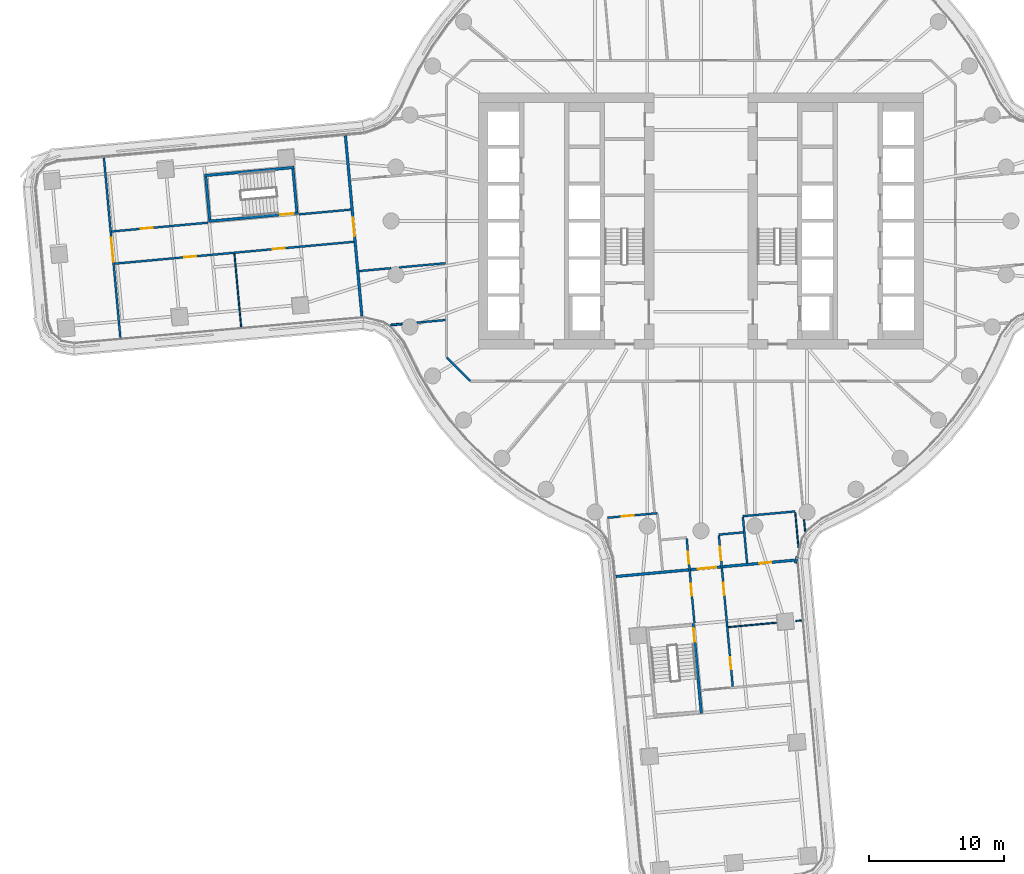
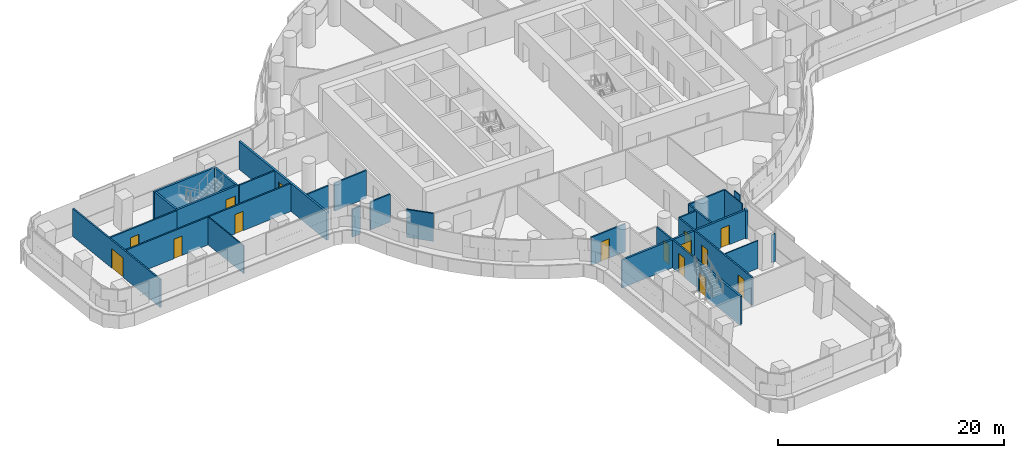
# One storey, part 19 of 31: 28 walls, 15 doors, 15 openings.
"""IFC4 building model written with IfcOpenShell, lengths in metres."""

from ifc_helpers import new_model, si_unit, direction, frame, frame_2d, origin, place, context, subcontext, project, spatial, polyline, rectangle, outline, extrude, material, layer, layer_set, type_object, element, fill, save


model = new_model("IFC4")

# Units and contexts
model_context = context("Model", 3, precision=1e-05, world=origin(), true_north=direction((0.0, 1.0)))
body_context = subcontext(model_context, "Body", "Model", "MODEL_VIEW")
ifc_project = project(units=[si_unit("LENGTHUNIT", "METRE"), si_unit("AREAUNIT", "SQUARE_METRE"), si_unit("VOLUMEUNIT", "CUBIC_METRE"), si_unit("PLANEANGLEUNIT", "RADIAN"), si_unit("MASSUNIT", "GRAM", prefix="KILO")], contexts=[model_context])

# Site, building, storey
site_placement = place(None, origin())
site = spatial("IfcSite", under=ifc_project, at=site_placement, CompositionType="ELEMENT")
building_placement = place(site_placement, origin())
building = spatial("IfcBuilding", under=site, at=building_placement, Name="Tamarind Cross Interchange Tower", CompositionType="ELEMENT")
storey_placement = place(building_placement, frame((0.0, 0.0, 52.75)))
storey = spatial("IfcBuildingStorey", under=building, at=storey_placement, Name="L11", CompositionType="ELEMENT", Elevation=52.75)

# Walls
ifc_material_1 = material(Name="Gypsum board partition on steel studs", Category="steel")
ifc_layer_1 = layer(ifc_material_1, 0.10009765625)
ifc_layer_set_1 = layer_set([ifc_layer_1], Name="Gypsum board partition on steel studs")
wall_type_1 = type_object("IfcWallType", Name="Partition 100 mm EI 90", PredefinedType="PARTITIONING", material=ifc_layer_set_1)
wall_1_placement = place(storey_placement, frame((-34.632080078125, -2.4248046875, 0.0), z_axis=(0.0, 0.0, 1.0), x_axis=(0.091148070514, -0.995837350797, 0.0)))
element("IfcWall", 1, at=wall_1_placement, inside=storey, type_object=wall_type_1, Name="Partition L11-002", PredefinedType="PARTITIONING", context=body_context, shape_type="SweptSolid", body=[
    extrude(rectangle(XDim=5.464111328125, YDim=0.10009765625, at=frame_2d((2.73193359375, 0.0))), origin(), (0.0, 0.0, 1.0), 3.010009765625),
])
wall_2_placement = place(storey_placement, frame((7.647216796875, -22.164306640625, 0.0), z_axis=(0.0, 0.0, 1.0), x_axis=(0.090963429571, -0.995854233551, 0.0)))
element("IfcWall", 2, at=wall_2_placement, inside=storey, type_object=wall_type_1, Name="Partition L11-022", PredefinedType="PARTITIONING", context=body_context, shape_type="SweptSolid", body=[
    extrude(rectangle(XDim=0.875, YDim=0.10009765625, at=frame_2d((0.4375, 0.0))), origin(), (0.0, 0.0, 1.0), 3.010009765625),
])
wall_3_placement = place(storey_placement, frame((6.994384765625, -21.62158203125, 0.0), z_axis=(0.0, 0.0, 1.0), x_axis=(0.09130674561, -0.995822814664, 0.0)))
element("IfcWall", 3, at=wall_3_placement, inside=storey, type_object=wall_type_1, Name="Partition L11-023", PredefinedType="PARTITIONING", context=body_context, shape_type="SweptSolid", body=[
    extrude(rectangle(XDim=2.655029296875, YDim=0.10009765625, at=frame_2d((1.32763671875, 0.0))), origin(), (0.0, 0.0, 1.0), 3.010009765625),
])
wall_4_placement = place(storey_placement, frame((2.015625, -30.150146484375, 0.0), z_axis=(0.0, 0.0, 1.0), x_axis=(0.995851448892, 0.090993910455, 0.0)))
element("IfcWall", 4, at=wall_4_placement, inside=storey, type_object=wall_type_1, Name="Partition L11-059", PredefinedType="PARTITIONING", context=body_context, shape_type="SweptSolid", body=[
    extrude(rectangle(XDim=3.603271484375, YDim=0.10009765625, at=frame_2d((1.8017578125, 0.0))), origin(), (0.0, 0.0, 1.0), 3.010009765625),
])
wall_5_placement = place(storey_placement, frame((7.029052734375, -29.692138671875, 0.0), z_axis=(0.0, 0.0, 1.0), x_axis=(0.995847580785, 0.091036233695, 0.0)))
element("IfcWall", 5, at=wall_5_placement, inside=storey, type_object=wall_type_1, Name="Partition L11-060", PredefinedType="PARTITIONING", context=body_context, shape_type="SweptSolid", body=[
    extrude(rectangle(XDim=0.439697265625, YDim=0.10009765625, at=frame_2d((0.2197265625, 0.0))), origin(), (0.0, 0.0, 1.0), 3.010009765625),
])

# Wall, opening, door
ifc_layer_2 = layer(ifc_material_1, 0.14990234375)
ifc_layer_set_2 = layer_set([ifc_layer_2], Name="Gypsum board partition on steel studs")
wall_type_2 = type_object("IfcWallType", Name="Partition 150 mm EI 120", PredefinedType="PARTITIONING", material=ifc_layer_set_2)
wall_6_placement = place(storey_placement, frame((-44.31884765625, 4.686279296875, 0.0), z_axis=(0.0, 0.0, 1.0), x_axis=(0.090982355228, -0.99585250466, 0.0)))
wall_6 = element("IfcWall", 6, at=wall_6_placement, inside=storey, type_object=wall_type_2, Name="Partition L11-001", PredefinedType="PARTITIONING", context=body_context, shape_type="SweptSolid", body=[
    extrude(rectangle(XDim=13.40625, YDim=0.14990234375, at=frame_2d((6.703125, 0.0))), origin(), (0.0, 0.0, 1.0), 3.010009765625),
])
opening_1_placement = place(wall_6_placement, frame((5.94921875, 0.0, 0.0)))
opening_1 = element("IfcOpeningElement", 7, at=opening_1_placement, cuts=wall_6, Name="Opening D01", PredefinedType="OPENING", context=body_context, shape_type="SweptSolid", body=[
    extrude(rectangle(XDim=1.800048828125, YDim=2.10009765625, at=frame_2d((0.89990234375, 1.050048828125))), frame((0.0, 0.0849609375, 0.0), z_axis=(0.0, -1.0, 0.0), x_axis=(1.0, 0.0, 0.0)), (0.0, 0.0, 1.0), 0.169921875),
])
ifc_material_2 = material(Name="Fire-resisting door set")
door_type_1 = type_object("IfcDoorType", Name="Interior door 1800 x 2100 FD60S", OperationType="DOUBLE_DOOR_SINGLE_SWING", PredefinedType="DOOR", material=ifc_material_2)
door_1_placement = place(opening_1_placement, frame((1.800048828125, 0.0, 0.0), z_axis=(0.0, 0.0, 1.0), x_axis=(-1.0, 0.0, 0.0)))
door_1 = element("IfcDoor", 8, at=door_1_placement, inside=storey, type_object=door_type_1, Name="Door D01", OperationType="DOUBLE_DOOR_SINGLE_SWING", OverallHeight=2.10009765625, OverallWidth=1.800048828125, PredefinedType="DOOR", context=body_context, shape_type="SweptSolid", body=[
    extrude(rectangle(XDim=1.800048828125, YDim=2.10009765625, at=frame_2d((0.89990234375, 1.050048828125))), frame((0.0, 0.02490234375, 0.0), z_axis=(0.0, -1.0, 0.0), x_axis=(1.0, 0.0, 0.0)), (0.0, 0.0, 1.0), 0.050048828125),
])
fill(opening_1, door_1)

# Wall, openings, doors
wall_7_placement = place(storey_placement, frame((-1.06201171875, -23.567626953125, 0.0), z_axis=(0.0, 0.0, 1.0), x_axis=(0.091249018008, -0.995828106007, 0.0)))
wall_7 = element("IfcWall", 9, at=wall_7_placement, inside=storey, type_object=wall_type_2, Name="Partition L11-014", PredefinedType="PARTITIONING", context=body_context, shape_type="SweptSolid", body=[
    extrude(rectangle(XDim=6.295654296875, YDim=0.14990234375, at=frame_2d((3.14794921875, 0.0))), origin(), (0.0, 0.0, 1.0), 3.010009765625),
])
opening_2_placement = place(wall_7_placement, frame((0.985107421875, 0.0, 0.0)))
opening_2 = element("IfcOpeningElement", 10, at=opening_2_placement, cuts=wall_7, Name="Opening D07", PredefinedType="OPENING", context=body_context, shape_type="SweptSolid", body=[
    extrude(rectangle(XDim=0.89990234375, YDim=2.10009765625, at=frame_2d((0.449951171875, 1.050048828125))), frame((0.0, 0.0849609375, 0.0), z_axis=(0.0, -1.0, 0.0), x_axis=(1.0, 0.0, 0.0)), (0.0, 0.0, 1.0), 0.169921875),
])
opening_3_placement = place(wall_7_placement, frame((3.385009765625, 0.0, 0.0)))
opening_3 = element("IfcOpeningElement", 11, at=opening_3_placement, cuts=wall_7, Name="Opening D08", PredefinedType="OPENING", context=body_context, shape_type="SweptSolid", body=[
    extrude(rectangle(XDim=0.89990234375, YDim=2.10009765625, at=frame_2d((0.449951171875, 1.050048828125))), frame((0.0, 0.0849609375, 0.0), z_axis=(0.0, -1.0, 0.0), x_axis=(1.0, 0.0, 0.0)), (0.0, 0.0, 1.0), 0.169921875),
])
door_type_2 = type_object("IfcDoorType", Name="Interior door 900 x 2100 FD60S", OperationType="SINGLE_SWING_LEFT", PredefinedType="DOOR", material=ifc_material_2)
door_2_placement = place(opening_2_placement, frame((0.89990234375, 0.0, 0.0), z_axis=(0.0, 0.0, 1.0), x_axis=(-1.0, 0.0, 0.0)))
door_2 = element("IfcDoor", 12, at=door_2_placement, inside=storey, type_object=door_type_2, Name="Door D07", OperationType="SINGLE_SWING_LEFT", OverallHeight=2.10009765625, OverallWidth=0.89990234375, PredefinedType="DOOR", context=body_context, shape_type="SweptSolid", body=[
    extrude(rectangle(XDim=0.89990234375, YDim=2.10009765625, at=frame_2d((0.449951171875, 1.050048828125))), frame((0.0, 0.02490234375, 0.0), z_axis=(0.0, -1.0, 0.0), x_axis=(1.0, 0.0, 0.0)), (0.0, 0.0, 1.0), 0.050048828125),
])
fill(opening_2, door_2)
door_3_placement = place(opening_3_placement, frame((0.89990234375, 0.0, 0.0), z_axis=(0.0, 0.0, 1.0), x_axis=(-1.0, 0.0, 0.0)))
door_3 = element("IfcDoor", 13, at=door_3_placement, inside=storey, type_object=door_type_2, Name="Door D08", OperationType="SINGLE_SWING_RIGHT", OverallHeight=2.10009765625, OverallWidth=0.89990234375, PredefinedType="DOOR", context=body_context, shape_type="SweptSolid", body=[
    extrude(rectangle(XDim=0.89990234375, YDim=2.10009765625, at=frame_2d((0.449951171875, 1.050048828125))), frame((0.0, 0.02490234375, 0.0), z_axis=(0.0, -1.0, 0.0), x_axis=(1.0, 0.0, 0.0)), (0.0, 0.0, 1.0), 0.050048828125),
])
fill(opening_3, door_3)

wall_8_placement = place(storey_placement, frame((1.327880859375, -23.349609375, 0.0), z_axis=(0.0, 0.0, 1.0), x_axis=(0.091258697725, -0.995827218994, 0.0)))
wall_8 = element("IfcWall", 14, at=wall_8_placement, inside=storey, type_object=wall_type_2, Name="Partition L11-017", PredefinedType="PARTITIONING", context=body_context, shape_type="SweptSolid", body=[
    extrude(rectangle(XDim=11.265625, YDim=0.14990234375, at=frame_2d((5.6328125, 0.0))), origin(), (0.0, 0.0, 1.0), 3.010009765625),
])
opening_4_placement = place(wall_8_placement, frame((0.8349609375, 0.0, 0.0)))
opening_4 = element("IfcOpeningElement", 15, at=opening_4_placement, cuts=wall_8, Name="Opening D10", PredefinedType="OPENING", context=body_context, shape_type="SweptSolid", body=[
    extrude(rectangle(XDim=1.0, YDim=2.10009765625, at=frame_2d((0.5, 1.050048828125))), frame((0.0, 0.0849609375, 0.0), z_axis=(0.0, -1.0, 0.0), x_axis=(1.0, 0.0, 0.0)), (0.0, 0.0, 1.0), 0.169921875),
])
opening_5_placement = place(wall_8_placement, frame((3.534912109375, 0.0, 0.0)))
opening_5 = element("IfcOpeningElement", 16, at=opening_5_placement, cuts=wall_8, Name="Opening D11", PredefinedType="OPENING", context=body_context, shape_type="SweptSolid", body=[
    extrude(rectangle(XDim=0.89990234375, YDim=2.10009765625, at=frame_2d((0.449951171875, 1.050048828125))), frame((0.0, 0.0849609375, 0.0), z_axis=(0.0, -1.0, 0.0), x_axis=(1.0, 0.0, 0.0)), (0.0, 0.0, 1.0), 0.169921875),
])
opening_6_placement = place(wall_8_placement, frame((9.084716796875, 0.0, 0.0)))
opening_6 = element("IfcOpeningElement", 17, at=opening_6_placement, cuts=wall_8, Name="Opening D12", PredefinedType="OPENING", context=body_context, shape_type="SweptSolid", body=[
    extrude(rectangle(XDim=0.89990234375, YDim=2.10009765625, at=frame_2d((0.449951171875, 1.050048828125))), frame((0.0, 0.0849609375, 0.0), z_axis=(0.0, -1.0, 0.0), x_axis=(1.0, 0.0, 0.0)), (0.0, 0.0, 1.0), 0.169921875),
])
door_type_3 = type_object("IfcDoorType", Name="Interior door 1000 x 2100 FD60S", OperationType="SINGLE_SWING_LEFT", PredefinedType="DOOR", material=ifc_material_2)
door_4_placement = place(opening_4_placement, origin())
door_4 = element("IfcDoor", 18, at=door_4_placement, inside=storey, type_object=door_type_3, Name="Door D10", OperationType="SINGLE_SWING_RIGHT", OverallHeight=2.10009765625, OverallWidth=1.0, PredefinedType="DOOR", context=body_context, shape_type="SweptSolid", body=[
    extrude(rectangle(XDim=1.0, YDim=2.10009765625, at=frame_2d((0.5, 1.050048828125))), frame((0.0, 0.02490234375, 0.0), z_axis=(0.0, -1.0, 0.0), x_axis=(1.0, 0.0, 0.0)), (0.0, 0.0, 1.0), 0.050048828125),
])
fill(opening_4, door_4)
door_5_placement = place(opening_5_placement, origin())
door_5 = element("IfcDoor", 19, at=door_5_placement, inside=storey, type_object=door_type_2, Name="Door D11", OperationType="SINGLE_SWING_RIGHT", OverallHeight=2.10009765625, OverallWidth=0.89990234375, PredefinedType="DOOR", context=body_context, shape_type="SweptSolid", body=[
    extrude(rectangle(XDim=0.89990234375, YDim=2.10009765625, at=frame_2d((0.449951171875, 1.050048828125))), frame((0.0, 0.02490234375, 0.0), z_axis=(0.0, -1.0, 0.0), x_axis=(1.0, 0.0, 0.0)), (0.0, 0.0, 1.0), 0.050048828125),
])
fill(opening_5, door_5)
door_6_placement = place(opening_6_placement, origin())
door_6 = element("IfcDoor", 20, at=door_6_placement, inside=storey, type_object=door_type_2, Name="Door D12", OperationType="SINGLE_SWING_LEFT", OverallHeight=2.10009765625, OverallWidth=0.89990234375, PredefinedType="DOOR", context=body_context, shape_type="SweptSolid", body=[
    extrude(rectangle(XDim=0.89990234375, YDim=2.10009765625, at=frame_2d((0.449951171875, 1.050048828125))), frame((0.0, 0.02490234375, 0.0), z_axis=(0.0, -1.0, 0.0), x_axis=(1.0, 0.0, 0.0)), (0.0, 0.0, 1.0), 0.050048828125),
])
fill(opening_6, door_6)

# Walls
wall_9_placement = place(storey_placement, frame((3.11083984375, -21.981689453125, 0.0), z_axis=(0.0, 0.0, 1.0), x_axis=(0.090842894967, -0.995865236081, 0.0)))
element("IfcWall", 21, at=wall_9_placement, inside=storey, type_object=wall_type_2, Name="Partition L11-020", PredefinedType="PARTITIONING", context=body_context, shape_type="SweptSolid", body=[
    extrude(rectangle(XDim=3.43994140625, YDim=0.14990234375, at=frame_2d((1.719970703125, 0.0))), origin(), (0.0, 0.0, 1.0), 3.010009765625),
])
wall_10_placement = place(storey_placement, frame((-18.87158203125, -10.12841796875, 0.0), z_axis=(0.0, 0.0, 1.0), x_axis=(0.707106781187, -0.707106781187, 0.0)))
element("IfcWall", 22, at=wall_10_placement, inside=storey, type_object=wall_type_2, Name="Partition L11-031", PredefinedType="PARTITIONING", context=body_context, shape_type="SweptSolid", body=[
    extrude(rectangle(XDim=2.465087890625, YDim=0.14990234375, at=frame_2d((1.232421875, 0.0))), origin(), (0.0, 0.0, 1.0), 3.010009765625),
])

# Wall, opening, door
wall_11_placement = place(storey_placement, frame((-43.749267578125, -0.78369140625, 0.0), z_axis=(0.0, 0.0, 1.0), x_axis=(0.99584491736, 0.091065364259, 0.0)))
wall_11 = element("IfcWall", 23, at=wall_11_placement, inside=storey, type_object=wall_type_2, Name="Partition L11-037", PredefinedType="PARTITIONING", context=body_context, shape_type="SweptSolid", body=[
    extrude(rectangle(XDim=7.190185546875, YDim=0.14990234375, at=frame_2d((3.59521484375, 0.0))), origin(), (0.0, 0.0, 1.0), 3.010009765625),
])
opening_7_placement = place(wall_11_placement, frame((2.179931640625, 0.0, 0.0)))
opening_7 = element("IfcOpeningElement", 24, at=opening_7_placement, cuts=wall_11, Name="Opening D23", PredefinedType="OPENING", context=body_context, shape_type="SweptSolid", body=[
    extrude(rectangle(XDim=0.89990234375, YDim=2.10009765625, at=frame_2d((0.449951171875, 1.050048828125))), frame((0.0, 0.0849609375, 0.0), z_axis=(0.0, -1.0, 0.0), x_axis=(1.0, 0.0, 0.0)), (0.0, 0.0, 1.0), 0.169921875),
])
door_7_placement = place(opening_7_placement, origin())
door_7 = element("IfcDoor", 25, at=door_7_placement, inside=storey, type_object=door_type_2, Name="Door D23", OperationType="SINGLE_SWING_RIGHT", OverallHeight=2.10009765625, OverallWidth=0.89990234375, PredefinedType="DOOR", context=body_context, shape_type="SweptSolid", body=[
    extrude(rectangle(XDim=0.89990234375, YDim=2.10009765625, at=frame_2d((0.449951171875, 1.050048828125))), frame((0.0, 0.02490234375, 0.0), z_axis=(0.0, -1.0, 0.0), x_axis=(1.0, 0.0, 0.0)), (0.0, 0.0, 1.0), 0.050048828125),
])
fill(opening_7, door_7)

# Wall
wall_12_placement = place(storey_placement, frame((-29.8369140625, 0.48828125, 0.0), z_axis=(0.0, 0.0, 1.0), x_axis=(0.995843877548, 0.091076734409, 0.0)))
element("IfcWall", 26, at=wall_12_placement, inside=storey, type_object=wall_type_2, Name="Partition L11-038", PredefinedType="PARTITIONING", context=body_context, shape_type="SweptSolid", body=[
    extrude(rectangle(XDim=3.865478515625, YDim=0.14990234375, at=frame_2d((1.9326171875, 0.0))), origin(), (0.0, 0.0, 1.0), 3.010009765625),
])

# Wall, openings, doors
wall_13_placement = place(storey_placement, frame((-43.5302734375, -3.173583984375, 0.0), z_axis=(0.0, 0.0, 1.0), x_axis=(0.99584041377, 0.091114599833, 0.0)))
wall_13 = element("IfcWall", 27, at=wall_13_placement, inside=storey, type_object=wall_type_2, Name="Partition L11-039", PredefinedType="PARTITIONING", context=body_context, shape_type="SweptSolid", body=[
    extrude(rectangle(XDim=17.834716796875, YDim=0.14990234375, at=frame_2d((8.91748046875, 0.0))), origin(), (0.0, 0.0, 1.0), 3.010009765625),
])
opening_8_placement = place(wall_13_placement, frame((11.779296875, 0.0, 0.0)))
opening_8 = element("IfcOpeningElement", 28, at=opening_8_placement, cuts=wall_13, Name="Opening D24", PredefinedType="OPENING", context=body_context, shape_type="SweptSolid", body=[
    extrude(rectangle(XDim=0.89990234375, YDim=2.10009765625, at=frame_2d((0.449951171875, 1.050048828125))), frame((0.0, 0.0849609375, 0.0), z_axis=(0.0, -1.0, 0.0), x_axis=(1.0, 0.0, 0.0)), (0.0, 0.0, 1.0), 0.169921875),
])
opening_9_placement = place(wall_13_placement, frame((5.179931640625, 0.0, 0.0)))
opening_9 = element("IfcOpeningElement", 29, at=opening_9_placement, cuts=wall_13, Name="Opening D25", PredefinedType="OPENING", context=body_context, shape_type="SweptSolid", body=[
    extrude(rectangle(XDim=0.89990234375, YDim=2.10009765625, at=frame_2d((0.449951171875, 1.050048828125))), frame((0.0, 0.0849609375, 0.0), z_axis=(0.0, -1.0, 0.0), x_axis=(1.0, 0.0, 0.0)), (0.0, 0.0, 1.0), 0.169921875),
])
door_8_placement = place(opening_8_placement, frame((0.89990234375, 0.0, 0.0), z_axis=(0.0, 0.0, 1.0), x_axis=(-1.0, 0.0, 0.0)))
door_8 = element("IfcDoor", 30, at=door_8_placement, inside=storey, type_object=door_type_2, Name="Door D24", OperationType="SINGLE_SWING_RIGHT", OverallHeight=2.10009765625, OverallWidth=0.89990234375, PredefinedType="DOOR", context=body_context, shape_type="SweptSolid", body=[
    extrude(rectangle(XDim=0.89990234375, YDim=2.10009765625, at=frame_2d((0.449951171875, 1.050048828125))), frame((0.0, 0.02490234375, 0.0), z_axis=(0.0, -1.0, 0.0), x_axis=(1.0, 0.0, 0.0)), (0.0, 0.0, 1.0), 0.050048828125),
])
fill(opening_8, door_8)
door_9_placement = place(opening_9_placement, frame((0.89990234375, 0.0, 0.0), z_axis=(0.0, 0.0, 1.0), x_axis=(-1.0, 0.0, 0.0)))
door_9 = element("IfcDoor", 31, at=door_9_placement, inside=storey, type_object=door_type_2, Name="Door D25", OperationType="SINGLE_SWING_LEFT", OverallHeight=2.10009765625, OverallWidth=0.89990234375, PredefinedType="DOOR", context=body_context, shape_type="SweptSolid", body=[
    extrude(rectangle(XDim=0.89990234375, YDim=2.10009765625, at=frame_2d((0.449951171875, 1.050048828125))), frame((0.0, 0.02490234375, 0.0), z_axis=(0.0, -1.0, 0.0), x_axis=(1.0, 0.0, 0.0)), (0.0, 0.0, 1.0), 0.050048828125),
])
fill(opening_9, door_9)

# Walls
wall_14_placement = place(storey_placement, frame((-25.38037109375, -3.723388671875, 0.0), z_axis=(0.0, 0.0, 1.0), x_axis=(0.995847961982, 0.091032063676, 0.0)))
element("IfcWall", 32, at=wall_14_placement, inside=storey, type_object=wall_type_2, Name="Partition L11-041", PredefinedType="PARTITIONING", context=body_context, shape_type="SweptSolid", body=[
    extrude(rectangle(XDim=2.39501953125, YDim=0.14990234375, at=frame_2d((1.197509765625, 0.0))), origin(), (0.0, 0.0, 1.0), 3.010009765625),
])
wall_15_placement = place(storey_placement, frame((-22.400390625, -3.450927734375, 0.0), z_axis=(0.0, 0.0, 1.0), x_axis=(0.995850755629, 0.091001497317, 0.0)))
element("IfcWall", 33, at=wall_15_placement, inside=storey, type_object=wall_type_2, Name="Partition L11-042", PredefinedType="PARTITIONING", context=body_context, shape_type="SweptSolid", body=[
    extrude(rectangle(XDim=3.4501953125, YDim=0.14990234375, at=frame_2d((1.72509765625, 0.0))), origin(), (0.0, 0.0, 1.0), 3.010009765625),
])
wall_16_placement = place(storey_placement, frame((-23.03564453125, -7.726806640625, 0.0), z_axis=(0.0, 0.0, 1.0), x_axis=(0.995831241369, 0.091214794378, 0.0)))
element("IfcWall", 34, at=wall_16_placement, inside=storey, type_object=wall_type_2, Name="Partition L11-043", PredefinedType="PARTITIONING", context=body_context, shape_type="SweptSolid", body=[
    extrude(rectangle(XDim=0.875244140625, YDim=0.14990234375, at=frame_2d((0.4375, 0.0))), origin(), (0.0, 0.0, 1.0), 3.010009765625),
])
wall_17_placement = place(storey_placement, frame((-21.096923828125, -7.54931640625, 0.0), z_axis=(0.0, 0.0, 1.0), x_axis=(0.995831293588, 0.091214224281, 0.0)))
element("IfcWall", 35, at=wall_17_placement, inside=storey, type_object=wall_type_2, Name="Partition L11-044", PredefinedType="PARTITIONING", context=body_context, shape_type="SweptSolid", body=[
    extrude(rectangle(XDim=2.141357421875, YDim=0.14990234375, at=frame_2d((1.07080078125, 0.0))), origin(), (0.0, 0.0, 1.0), 3.010009765625),
])

# Wall, opening, door
wall_18_placement = place(storey_placement, frame((-6.926025390625, -22.031005859375, 0.0), z_axis=(0.0, 0.0, 1.0), x_axis=(0.99584656717, 0.091047320968, 0.0)))
wall_18 = element("IfcWall", 36, at=wall_18_placement, inside=storey, type_object=wall_type_2, Name="Partition L11-053", PredefinedType="PARTITIONING", context=body_context, shape_type="SweptSolid", body=[
    extrude(rectangle(XDim=3.700439453125, YDim=0.14990234375, at=frame_2d((1.85009765625, 0.0))), origin(), (0.0, 0.0, 1.0), 3.010009765625),
])
opening_10_placement = place(wall_18_placement, frame((1.050048828125, 0.0, 0.0)))
opening_10 = element("IfcOpeningElement", 37, at=opening_10_placement, cuts=wall_18, Name="Opening D30", PredefinedType="OPENING", context=body_context, shape_type="SweptSolid", body=[
    extrude(rectangle(XDim=0.89990234375, YDim=2.10009765625, at=frame_2d((0.449951171875, 1.050048828125))), frame((0.0, 0.0849609375, 0.0), z_axis=(0.0, -1.0, 0.0), x_axis=(1.0, 0.0, 0.0)), (0.0, 0.0, 1.0), 0.169921875),
])
door_10_placement = place(opening_10_placement, frame((0.89990234375, 0.0, 0.0), z_axis=(0.0, 0.0, 1.0), x_axis=(-1.0, 0.0, 0.0)))
door_10 = element("IfcDoor", 38, at=door_10_placement, inside=storey, type_object=door_type_2, Name="Door D30", OperationType="SINGLE_SWING_LEFT", OverallHeight=2.10009765625, OverallWidth=0.89990234375, PredefinedType="DOOR", context=body_context, shape_type="SweptSolid", body=[
    extrude(rectangle(XDim=0.89990234375, YDim=2.10009765625, at=frame_2d((0.449951171875, 1.050048828125))), frame((0.0, 0.02490234375, 0.0), z_axis=(0.0, -1.0, 0.0), x_axis=(1.0, 0.0, 0.0)), (0.0, 0.0, 1.0), 0.050048828125),
])
fill(opening_10, door_10)

# Walls
wall_19_placement = place(storey_placement, frame((1.32177734375, -23.283203125, 0.0), z_axis=(0.0, 0.0, 1.0), x_axis=(0.995815196642, 0.091389792296, 0.0)))
element("IfcWall", 39, at=wall_19_placement, inside=storey, type_object=wall_type_2, Name="Partition L11-058", PredefinedType="PARTITIONING", context=body_context, shape_type="SweptSolid", body=[
    extrude(rectangle(XDim=1.829833984375, YDim=0.14990234375, at=frame_2d((0.9150390625, 0.0))), origin(), (0.0, 0.0, 1.0), 3.010009765625),
])
wall_20_placement = place(storey_placement, frame((3.10498046875, -21.9169921875, 0.0), z_axis=(0.0, 0.0, 1.0), x_axis=(0.995849478527, 0.091015471857, 0.0)))
element("IfcWall", 40, at=wall_20_placement, inside=storey, type_object=wall_type_2, Name="Partition L11-061", PredefinedType="PARTITIONING", context=body_context, shape_type="SweptSolid", body=[
    extrude(rectangle(XDim=3.900146484375, YDim=0.14990234375, at=frame_2d((1.9501953125, 0.0))), origin(), (0.0, 0.0, 1.0), 3.010009765625),
])

# Wall, opening, door
ifc_layer_3 = layer(ifc_material_1, 0.199951171875)
ifc_layer_set_3 = layer_set([ifc_layer_3], Name="Gypsum board partition on steel studs")
wall_type_3 = type_object("IfcWallType", Name="Partition 200 mm EI 180", PredefinedType="PARTITIONING", material=ifc_layer_set_3)
wall_21_placement = place(storey_placement, frame((-26.393798828125, 6.3251953125, 0.0), z_axis=(0.0, 0.0, 1.0), x_axis=(0.091092228413, -0.995842460394, 0.0)))
wall_21 = element("IfcWall", 41, at=wall_21_placement, inside=storey, type_object=wall_type_3, Name="Partition L11-003", PredefinedType="PARTITIONING", context=body_context, shape_type="SweptSolid", body=[
    extrude(rectangle(XDim=13.448974609375, YDim=0.199951171875, at=frame_2d((6.724609375, 0.0))), origin(), (0.0, 0.0, 1.0), 3.010009765625),
])
opening_11_placement = place(wall_21_placement, frame((6.09912109375, 0.0, 0.0)))
opening_11 = element("IfcOpeningElement", 42, at=opening_11_placement, cuts=wall_21, Name="Opening D02", PredefinedType="OPENING", context=body_context, shape_type="SweptSolid", body=[
    extrude(rectangle(XDim=1.39990234375, YDim=2.10009765625, at=frame_2d((0.699951171875, 1.050048828125))), frame((0.0, 0.10986328125, 0.0), z_axis=(0.0, -1.0, 0.0), x_axis=(1.0, 0.0, 0.0)), (0.0, 0.0, 1.0), 0.219970703125),
])
door_type_4 = type_object("IfcDoorType", Name="Interior door 1400 x 2100 FD120S", OperationType="DOUBLE_DOOR_SINGLE_SWING", PredefinedType="DOOR", material=ifc_material_2)
door_11_placement = place(opening_11_placement, origin())
door_11 = element("IfcDoor", 43, at=door_11_placement, inside=storey, type_object=door_type_4, Name="Door D02", OperationType="DOUBLE_DOOR_SINGLE_SWING", OverallHeight=2.10009765625, OverallWidth=1.39990234375, PredefinedType="DOOR", context=body_context, shape_type="SweptSolid", body=[
    extrude(rectangle(XDim=1.39990234375, YDim=2.10009765625, at=frame_2d((0.699951171875, 1.050048828125))), frame((0.0, 0.02490234375, 0.0), z_axis=(0.0, -1.0, 0.0), x_axis=(1.0, 0.0, 0.0)), (0.0, 0.0, 1.0), 0.050048828125),
])
fill(opening_11, door_11)

# Wall, openings, doors
wall_22_placement = place(storey_placement, frame((-6.3251953125, -26.393798828125, 0.0), z_axis=(0.0, 0.0, 1.0), x_axis=(0.995842908887, 0.091087325239, 0.0)))
wall_22 = element("IfcWall", 44, at=wall_22_placement, inside=storey, type_object=wall_type_3, Name="Partition L11-054", PredefinedType="PARTITIONING", context=body_context, shape_type="SweptSolid", body=[
    extrude(rectangle(XDim=13.3291015625, YDim=0.199951171875, at=frame_2d((6.66455078125, 0.0))), origin(), (0.0, 0.0, 1.0), 3.010009765625),
])
opening_12_placement = place(wall_22_placement, frame((6.09912109375, 0.0, 0.0)))
opening_12 = element("IfcOpeningElement", 45, at=opening_12_placement, cuts=wall_22, Name="Opening D31", PredefinedType="OPENING", context=body_context, shape_type="SweptSolid", body=[
    extrude(rectangle(XDim=1.39990234375, YDim=2.10009765625, at=frame_2d((0.699951171875, 1.050048828125))), frame((0.0, 0.10986328125, 0.0), z_axis=(0.0, -1.0, 0.0), x_axis=(1.0, 0.0, 0.0)), (0.0, 0.0, 1.0), 0.219970703125),
])
opening_13_placement = place(wall_22_placement, frame((10.698974609375, 0.0, 0.0)))
opening_13 = element("IfcOpeningElement", 46, at=opening_13_placement, cuts=wall_22, Name="Opening D32", PredefinedType="OPENING", context=body_context, shape_type="SweptSolid", body=[
    extrude(rectangle(XDim=0.89990234375, YDim=2.10009765625, at=frame_2d((0.449951171875, 1.050048828125))), frame((0.0, 0.10986328125, 0.0), z_axis=(0.0, -1.0, 0.0), x_axis=(1.0, 0.0, 0.0)), (0.0, 0.0, 1.0), 0.219970703125),
])
door_12_placement = place(opening_12_placement, origin())
door_12 = element("IfcDoor", 47, at=door_12_placement, inside=storey, type_object=door_type_4, Name="Door D31", OperationType="DOUBLE_DOOR_SINGLE_SWING", OverallHeight=2.10009765625, OverallWidth=1.39990234375, PredefinedType="DOOR", context=body_context, shape_type="SweptSolid", body=[
    extrude(rectangle(XDim=1.39990234375, YDim=2.10009765625, at=frame_2d((0.699951171875, 1.050048828125))), frame((0.0, 0.02490234375, 0.0), z_axis=(0.0, -1.0, 0.0), x_axis=(1.0, 0.0, 0.0)), (0.0, 0.0, 1.0), 0.050048828125),
])
fill(opening_12, door_12)
door_type_5 = type_object("IfcDoorType", Name="Interior door 900 x 2100 FD120S", OperationType="SINGLE_SWING_LEFT", PredefinedType="DOOR", material=ifc_material_2)
door_13_placement = place(opening_13_placement, origin())
door_13 = element("IfcDoor", 48, at=door_13_placement, inside=storey, type_object=door_type_5, Name="Door D32", OperationType="SINGLE_SWING_LEFT", OverallHeight=2.10009765625, OverallWidth=0.89990234375, PredefinedType="DOOR", context=body_context, shape_type="SweptSolid", body=[
    extrude(rectangle(XDim=0.89990234375, YDim=2.10009765625, at=frame_2d((0.449951171875, 1.050048828125))), frame((0.0, 0.02490234375, 0.0), z_axis=(0.0, -1.0, 0.0), x_axis=(1.0, 0.0, 0.0)), (0.0, 0.0, 1.0), 0.050048828125),
])
fill(opening_13, door_13)

# Wall
wall_23_placement = place(storey_placement, frame((7.010498046875, -25.412109375, 0.0), z_axis=(0.0, 0.0, 1.0), x_axis=(0.229529266033, 0.973301760008, 0.0)))
element("IfcWall", 49, at=wall_23_placement, inside=storey, type_object=wall_type_3, Name="Partition L11-077", PredefinedType="PARTITIONING", context=body_context, shape_type="SweptSolid", body=[
    extrude(rectangle(XDim=0.5, YDim=0.199951171875, at=frame_2d((0.25, 0.0))), origin(), (0.0, 0.0, 1.0), 3.010009765625),
])

# Wall, opening, door
ifc_material_3 = material(Name="Concrete C40", Category="concrete")
ifc_layer_4 = layer(ifc_material_3, 0.199951171875)
ifc_layer_set_4 = layer_set([ifc_layer_4], Name="Concrete C40")
wall_type_4 = type_object("IfcWallType", Name="Stair shaft wall 200 mm Concrete C40", PredefinedType="SHEAR", material=ifc_layer_set_4)
wall_24_placement = place(storey_placement, frame((-29.885986328125, 0.58447265625, -0.139892578125), z_axis=(0.0, 0.0, 1.0), x_axis=(-0.995845278691, -0.091061412838, 0.0)))
wall_24 = element("IfcWall", 50, at=wall_24_placement, inside=storey, type_object=wall_type_4, Name="Core wall CWL-L11-ST5-H", PredefinedType="SHEAR", context=body_context, shape_type="SweptSolid", body=[
    extrude(rectangle(XDim=6.699951171875, YDim=0.199951171875, at=frame_2d((3.35009765625, 0.0))), origin(), (0.0, 0.0, 1.0), 3.14990234375),
])
opening_14_placement = place(wall_24_placement, frame((0.35009765625, 0.0, 0.0)))
opening_14 = element("IfcOpeningElement", 51, at=opening_14_placement, cuts=wall_24, Name="Opening ST5L11", PredefinedType="OPENING", context=body_context, shape_type="SweptSolid", body=[
    extrude(rectangle(XDim=1.0, YDim=2.10009765625, at=frame_2d((0.5, 1.050048828125))), frame((0.0, 0.10986328125, 0.0), z_axis=(0.0, -1.0, 0.0), x_axis=(1.0, 0.0, 0.0)), (0.0, 0.0, 1.0), 0.219970703125),
])
ifc_material_4 = material(Name="Steel, fire-resisting", Category="steel")
door_type_6 = type_object("IfcDoorType", Name="Core fire door 1000 x 2100 FD90", OperationType="SINGLE_SWING_LEFT", PredefinedType="DOOR", material=ifc_material_4)
door_14_placement = place(opening_14_placement, origin())
door_14 = element("IfcDoor", 52, at=door_14_placement, inside=storey, type_object=door_type_6, Name="L11 stair door ST5", OperationType="SINGLE_SWING_LEFT", OverallHeight=2.10009765625, OverallWidth=1.0, PredefinedType="DOOR", context=body_context, shape_type="SweptSolid", body=[
    extrude(rectangle(XDim=1.0, YDim=2.10009765625, at=frame_2d((0.5, 1.050048828125))), frame((0.0, 0.02490234375, 0.0), z_axis=(0.0, -1.0, 0.0), x_axis=(1.0, 0.0, 0.0)), (0.0, 0.0, 1.0), 0.050048828125),
])
fill(opening_14, door_14)

# Walls
wall_25_placement = place(storey_placement, frame((-30.195556640625, 3.97021484375, -0.139892578125), z_axis=(0.0, 0.0, 1.0), x_axis=(-0.99584858246, -0.091025275677, 0.0)))
element("IfcWall", 53, at=wall_25_placement, inside=storey, type_object=wall_type_4, Name="Core wall CWL-L11-ST5-C", PredefinedType="SHEAR", context=body_context, shape_type="SweptSolid", body=[
    extrude(rectangle(XDim=6.699951171875, YDim=0.199951171875, at=frame_2d((3.35009765625, 0.0))), origin(), (0.0, 0.0, 1.0), 3.14990234375),
])
wall_26_placement = place(storey_placement, frame((-30.285888671875, 3.861572265625, -0.139892578125), z_axis=(0.0, 0.0, 1.0), x_axis=(0.0910172553, -0.995849315528, 0.0)))
element("IfcWall", 54, at=wall_26_placement, inside=storey, type_object=wall_type_4, Name="Core wall CWL-L11-ST5-CE", PredefinedType="SHEAR", context=body_context, shape_type="SweptSolid", body=[
    extrude(rectangle(XDim=3.199951171875, YDim=0.199951171875, at=frame_2d((1.60009765625, 0.0))), origin(), (0.0, 0.0, 1.0), 3.14990234375),
])
wall_27_placement = place(storey_placement, frame((0.0, 0.0, -0.139892578125)))
element("IfcWall", 55, at=wall_27_placement, inside=storey, type_object=wall_type_4, Name="Core wall CWL-L11-ST5-CF", PredefinedType="SHEAR", context=body_context, shape_type="SweptSolid", body=[
    extrude(outline(polyline([(-36.659423828125, 3.27880859375), (-36.858642578125, 3.2607421875), (-36.567138671875, 0.073974609375), (-36.3681640625, 0.09228515625), (-36.659423828125, 3.27880859375)])), origin(), (0.0, 0.0, 1.0), 3.14990234375),
])

# Wall, opening, door
wall_28_placement = place(storey_placement, frame((-0.58447265625, -29.885986328125, -0.139892578125), z_axis=(0.0, 0.0, 1.0), x_axis=(0.091061412838, -0.995845278691, 0.0)))
wall_28 = element("IfcWall", 56, at=wall_28_placement, inside=storey, type_object=wall_type_4, Name="Core wall CWL-L11-ST6-H", PredefinedType="SHEAR", context=body_context, shape_type="SweptSolid", body=[
    extrude(rectangle(XDim=6.699951171875, YDim=0.199951171875, at=frame_2d((3.35009765625, 0.0))), origin(), (0.0, 0.0, 1.0), 3.14990234375),
])
opening_15_placement = place(wall_28_placement, frame((0.35009765625, 0.0, 0.0)))
opening_15 = element("IfcOpeningElement", 57, at=opening_15_placement, cuts=wall_28, Name="Opening ST6L11", PredefinedType="OPENING", context=body_context, shape_type="SweptSolid", body=[
    extrude(rectangle(XDim=1.0, YDim=2.10009765625, at=frame_2d((0.5, 1.050048828125))), frame((0.0, 0.10986328125, 0.0), z_axis=(0.0, -1.0, 0.0), x_axis=(1.0, 0.0, 0.0)), (0.0, 0.0, 1.0), 0.219970703125),
])
door_15_placement = place(opening_15_placement, origin())
door_15 = element("IfcDoor", 58, at=door_15_placement, inside=storey, type_object=door_type_6, Name="L11 stair door ST6", OperationType="SINGLE_SWING_LEFT", OverallHeight=2.10009765625, OverallWidth=1.0, PredefinedType="DOOR", context=body_context, shape_type="SweptSolid", body=[
    extrude(rectangle(XDim=1.0, YDim=2.10009765625, at=frame_2d((0.5, 1.050048828125))), frame((0.0, 0.02490234375, 0.0), z_axis=(0.0, -1.0, 0.0), x_axis=(1.0, 0.0, 0.0)), (0.0, 0.0, 1.0), 0.050048828125),
])
fill(opening_15, door_15)

save(model, "model.ifc")
